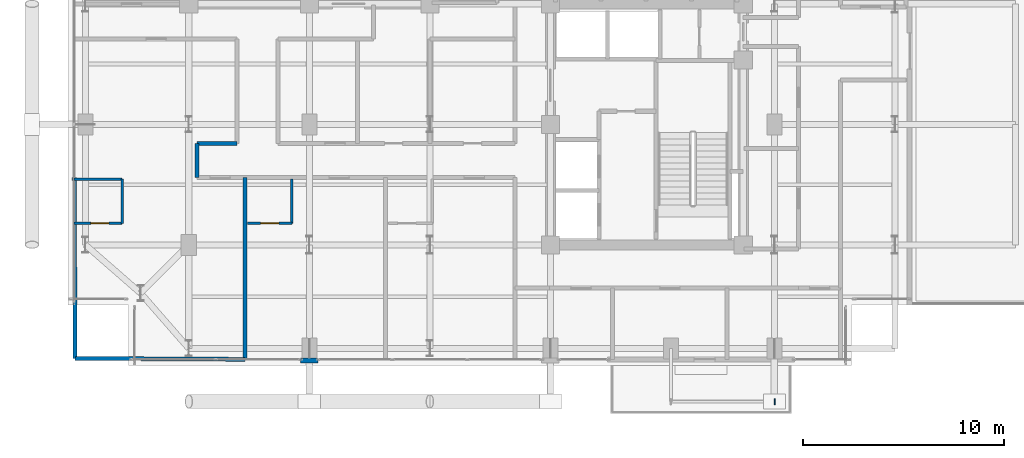
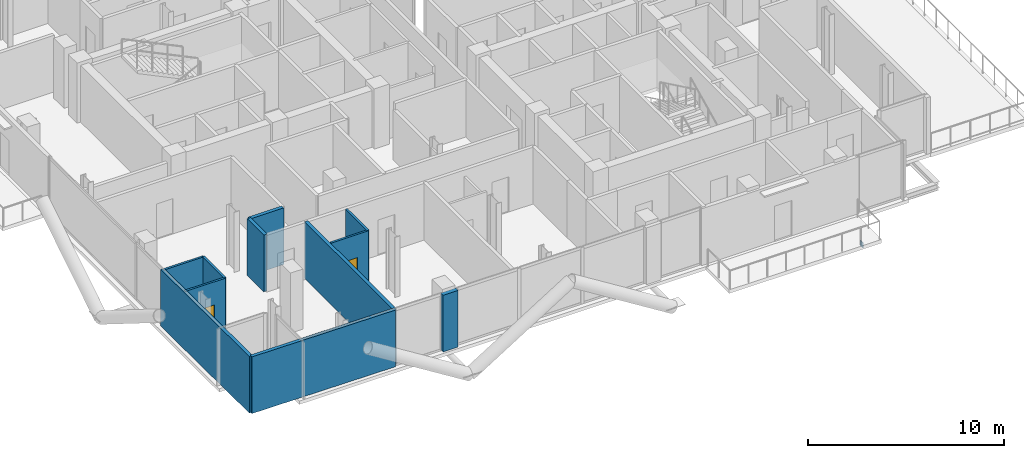
# One storey, part 20 of 28: 11 walls, 2 doors, 1 plate, 2 openings.
"""IFC4 building model written with IfcOpenShell, lengths in metres."""

from ifc_helpers import new_model, si_unit, direction, frame, frame_2d, origin, origin_2d, place, context, subcontext, project, spatial, rectangle, extrude, material, layer, layer_set, type_object, element, fill, save


model = new_model("IFC4")

# Units and contexts
model_context = context("Model", 3, precision=1e-05, world=origin(), true_north=direction((0.0, 1.0)))
body_context = subcontext(model_context, "Body", "Model", "MODEL_VIEW")
ifc_project = project(units=[si_unit("LENGTHUNIT", "METRE"), si_unit("AREAUNIT", "SQUARE_METRE"), si_unit("VOLUMEUNIT", "CUBIC_METRE"), si_unit("PLANEANGLEUNIT", "RADIAN"), si_unit("MASSUNIT", "GRAM", prefix="KILO"), si_unit("THERMODYNAMICTEMPERATUREUNIT", "KELVIN"), si_unit("POWERUNIT", "WATT")], contexts=[model_context])

# Site, building, storey
site_placement = place(None, origin())
site = spatial("IfcSite", under=ifc_project, at=site_placement, CompositionType="ELEMENT")
building_placement = place(site_placement, origin())
building = spatial("IfcBuilding", under=site, at=building_placement, Name="Svarakhadi Broadcast Tower", CompositionType="ELEMENT")
storey_placement = place(building_placement, frame((0.0, 0.0, 169.199951171875)))
storey = spatial("IfcBuildingStorey", under=building, at=storey_placement, Name="L41", CompositionType="ELEMENT", Elevation=169.199951171875)

# Plate
ifc_material_1 = material(Name="Steel S460ML (IS 2062 E450BR)", Category="steel")
ifc_layer_1 = layer(ifc_material_1, 0.028076171875)
ifc_layer_set_1 = layer_set([ifc_layer_1], Name="Steel S460ML (IS 2062 E450BR)")
plate_type = type_object("IfcPlateType", Name="Cap_Plate_CP02", PredefinedType="USERDEFINED", material=ifc_layer_set_1)
plate_placement = place(storey_placement, frame((35.1650390625, -1.800048828125, -0.5048828125), z_axis=(0.0, 0.0, 1.0), x_axis=(1.0, 0.0, 0.0)))
element("IfcPlate", 1, at=plate_placement, inside=storey, type_object=plate_type, Name="L41 Balcony Spandrel End Cap Plate 1F-B", ObjectType="FLANGE_PLATE", PredefinedType="USERDEFINED", context=body_context, shape_type="SweptSolid", body=[
    extrude(rectangle(XDim=0.0400390625, YDim=0.300048828125, at=origin_2d()), origin(), (0.0, 0.0, 1.0), 0.31005859375),
])

# Walls
ifc_material_2 = material(Name="Double-Stud Acoustic Studio Partition STC-62", Category="gypsum")
ifc_layer_2 = layer(ifc_material_2, 0.199951171875)
ifc_layer_set_2 = layer_set([ifc_layer_2], Name="Double-Stud Acoustic Studio Partition STC-62")
wall_type_1 = type_object("IfcWallType", Name="Wall_Acoust_200", PredefinedType="PARTITIONING", material=ifc_layer_set_2)
wall_1_placement = place(storey_placement, frame((6.39990234375, 9.35009765625, 0.0), z_axis=(0.0, 0.0, 1.0), x_axis=(0.0, 1.0, 0.0)))
element("IfcWall", 2, at=wall_1_placement, inside=storey, type_object=wall_type_1, Name="L41 Zone 2/3 Corridor Wall", PredefinedType="PARTITIONING", context=body_context, shape_type="SweptSolid", body=[
    extrude(rectangle(XDim=1.699951171875, YDim=0.199951171875, at=frame_2d((0.85009765625, 0.0))), origin(), (0.0, 0.0, 1.0), 3.5400390625),
])
wall_2_placement = place(storey_placement, frame((6.39990234375, 11.050048828125, 0.0), z_axis=(0.0, 0.0, 1.0), x_axis=(1.0, 0.0, 0.0)))
element("IfcWall", 3, at=wall_2_placement, inside=storey, type_object=wall_type_1, Name="L41 Zone 2/3 Corridor Wall", PredefinedType="PARTITIONING", context=body_context, shape_type="SweptSolid", body=[
    extrude(rectangle(XDim=2.0, YDim=0.199951171875, at=frame_2d((1.0, 0.0))), origin(), (0.0, 0.0, 1.0), 3.5400390625),
])
wall_3_placement = place(storey_placement, frame((0.35009765625, 0.35009765625, 0.0), z_axis=(0.0, 0.0, 1.0), x_axis=(0.99998245966, -0.005922868574, 0.0)))
element("IfcWall", 4, at=wall_3_placement, inside=storey, type_object=wall_type_1, Name="L41 Deluxe Sea-View Guest Room 01 Wall", PredefinedType="PARTITIONING", context=body_context, shape_type="SweptSolid", body=[
    extrude(rectangle(XDim=8.4501953125, YDim=0.199951171875, at=frame_2d((4.22509765625, 0.0))), origin(), (0.0, 0.0, 1.0), 3.5400390625),
])
wall_4_placement = place(storey_placement, frame((0.35009765625, 0.35009765625, 0.0), z_axis=(0.0, 0.0, 1.0), x_axis=(-0.005560894919, 0.999984538104, 0.0)))
element("IfcWall", 5, at=wall_4_placement, inside=storey, type_object=wall_type_1, Name="L41 Deluxe Sea-View Guest Room 01 Wall", PredefinedType="PARTITIONING", context=body_context, shape_type="SweptSolid", body=[
    extrude(rectangle(XDim=9.000244140625, YDim=0.199951171875, at=frame_2d((4.5, 0.0))), origin(), (0.0, 0.0, 1.0), 3.5400390625),
])
wall_5_placement = place(storey_placement, frame((8.800048828125, 0.300048828125, 0.0), z_axis=(0.0, 0.0, 1.0), x_axis=(0.0, 1.0, 0.0)))
element("IfcWall", 6, at=wall_5_placement, inside=storey, type_object=wall_type_1, Name="L41 Deluxe Sea-View Guest Room 01 Wall", PredefinedType="PARTITIONING", context=body_context, shape_type="SweptSolid", body=[
    extrude(rectangle(XDim=9.050048828125, YDim=0.199951171875, at=frame_2d((4.52490234375, 0.0))), origin(), (0.0, 0.0, 1.0), 3.5400390625),
])
ifc_material_3 = material(Name="Concrete C40/50 (IS 456 M50)", Category="concrete")
ifc_layer_3 = layer(ifc_material_3, 0.239990234375)
ifc_layer_set_3 = layer_set([ifc_layer_3], Name="Concrete C40/50 (IS 456 M50)")
wall_type_2 = type_object("IfcWallType", Name="Wall_Ext_240", PredefinedType="SOLIDWALL", material=ifc_layer_set_3)
wall_6_placement = place(storey_placement, frame((12.43994140625, 0.239990234375, 0.0), z_axis=(0.0, 0.0, 1.0), x_axis=(-1.0, 0.0, 0.0)))
element("IfcWall", 7, at=wall_6_placement, inside=storey, type_object=wall_type_2, Name="L41 Perimeter Bronze Spandrel Closure Wall 02", PredefinedType="SOLIDWALL", context=body_context, shape_type="SweptSolid", body=[
    extrude(rectangle(XDim=0.8798828125, YDim=0.239990234375, at=frame_2d((0.43994140625, 0.0))), origin(), (0.0, 0.0, 1.0), 3.5400390625),
])

# Wall, opening, door
ifc_material_4 = material(Name="Fire-Rated Moisture-Resistant Gypsum Board Partition", Category="gypsum")
ifc_layer_4 = layer(ifc_material_4, 0.125)
ifc_layer_set_4 = layer_set([ifc_layer_4], Name="Fire-Rated Moisture-Resistant Gypsum Board Partition")
wall_type_3 = type_object("IfcWallType", Name="Wall_Part_125", PredefinedType="PARTITIONING", material=ifc_layer_set_4)
wall_7_placement = place(storey_placement, frame((0.300048828125, 7.070068359375, 0.0), z_axis=(0.0, 0.0, 1.0), x_axis=(1.0, 0.0, 0.0)))
wall_7 = element("IfcWall", 8, at=wall_7_placement, inside=storey, type_object=wall_type_3, Name="L41 Deluxe Sea-View Guest Room 01 En-Suite Wall", PredefinedType="PARTITIONING", context=body_context, shape_type="SweptSolid", body=[
    extrude(rectangle(XDim=2.3798828125, YDim=0.125, at=frame_2d((1.18994140625, 0.0))), origin(), (0.0, 0.0, 1.0), 3.5400390625),
])
opening_1_placement = place(wall_7_placement, frame((0.830078125, 0.0, 0.0)))
opening_1 = element("IfcOpeningElement", 9, at=opening_1_placement, cuts=wall_7, Name="Opening D-13", PredefinedType="OPENING", context=body_context, shape_type="SweptSolid", body=[
    extrude(rectangle(XDim=0.89990234375, YDim=2.10009765625, at=frame_2d((0.449951171875, 1.050048828125))), frame((0.0, 0.072509765625, 0.0), z_axis=(0.0, -1.0, 0.0), x_axis=(1.0, 0.0, 0.0)), (0.0, 0.0, 1.0), 0.14501953125),
])
ifc_material_5 = material(Name="Solid-Core Teak Veneer Acoustic Timber Leaf", Category="wood")
door_type_1 = type_object("IfcDoorType", Name="Door_Closet_D13", OperationType="SINGLE_SWING_RIGHT", PredefinedType="DOOR", material=ifc_material_5)
door_1_placement = place(opening_1_placement, origin())
door_1 = element("IfcDoor", 10, at=door_1_placement, inside=storey, type_object=door_type_1, Name="L41 Deluxe Sea-View Guest Room 01 En-Suite Door", OperationType="SINGLE_SWING_RIGHT", OverallHeight=2.10009765625, OverallWidth=0.89990234375, PredefinedType="DOOR", context=body_context, shape_type="SweptSolid", body=[
    extrude(rectangle(XDim=0.89990234375, YDim=2.10009765625, at=frame_2d((0.449951171875, 1.050048828125))), frame((0.0, 0.02490234375, 0.0), z_axis=(0.0, -1.0, 0.0), x_axis=(1.0, 0.0, 0.0)), (0.0, 0.0, 1.0), 0.050048828125),
])
fill(opening_1, door_1)

# Walls
wall_8_placement = place(storey_placement, frame((0.300048828125, 9.27001953125, 0.0), z_axis=(0.0, 0.0, 1.0), x_axis=(1.0, 0.0, 0.0)))
element("IfcWall", 11, at=wall_8_placement, inside=storey, type_object=wall_type_3, Name="L41 Deluxe Sea-View Guest Room 01 En-Suite Wall", PredefinedType="PARTITIONING", context=body_context, shape_type="SweptSolid", body=[
    extrude(rectangle(XDim=2.3798828125, YDim=0.125, at=frame_2d((1.18994140625, 0.0))), origin(), (0.0, 0.0, 1.0), 3.5400390625),
])
wall_9_placement = place(storey_placement, frame((2.679931640625, 7.070068359375, 0.0), z_axis=(0.0, 0.0, 1.0), x_axis=(0.0, 1.0, 0.0)))
element("IfcWall", 12, at=wall_9_placement, inside=storey, type_object=wall_type_3, Name="L41 Deluxe Sea-View Guest Room 01 En-Suite Wall", PredefinedType="PARTITIONING", context=body_context, shape_type="SweptSolid", body=[
    extrude(rectangle(XDim=2.199951171875, YDim=0.125, at=frame_2d((1.10009765625, 0.0))), origin(), (0.0, 0.0, 1.0), 3.5400390625),
])

# Wall, opening, door
wall_10_placement = place(storey_placement, frame((8.929931640625, 7.070068359375, 0.0), z_axis=(0.0, 0.0, 1.0), x_axis=(1.0, 0.0, 0.0)))
wall_10 = element("IfcWall", 13, at=wall_10_placement, inside=storey, type_object=wall_type_3, Name="L41 Deluxe Sea-View Guest Room 02 En-Suite Wall", PredefinedType="PARTITIONING", context=body_context, shape_type="SweptSolid", body=[
    extrude(rectangle(XDim=2.199951171875, YDim=0.125, at=frame_2d((1.10009765625, 0.0))), origin(), (0.0, 0.0, 1.0), 3.5400390625),
])
opening_2_placement = place(wall_10_placement, frame((0.64990234375, 0.0, 0.0)))
opening_2 = element("IfcOpeningElement", 14, at=opening_2_placement, cuts=wall_10, Name="Opening D-12", PredefinedType="OPENING", context=body_context, shape_type="SweptSolid", body=[
    extrude(rectangle(XDim=0.89990234375, YDim=2.10009765625, at=frame_2d((0.449951171875, 1.050048828125))), frame((0.0, 0.072509765625, 0.0), z_axis=(0.0, -1.0, 0.0), x_axis=(1.0, 0.0, 0.0)), (0.0, 0.0, 1.0), 0.14501953125),
])
door_type_2 = type_object("IfcDoorType", Name="Door_WC_D01", OperationType="SINGLE_SWING_LEFT", PredefinedType="DOOR", material=ifc_material_5)
door_2_placement = place(opening_2_placement, origin())
door_2 = element("IfcDoor", 15, at=door_2_placement, inside=storey, type_object=door_type_2, Name="L41 Deluxe Sea-View Guest Room 02 En-Suite Door", OperationType="SINGLE_SWING_LEFT", OverallHeight=2.10009765625, OverallWidth=0.89990234375, PredefinedType="DOOR", context=body_context, shape_type="SweptSolid", body=[
    extrude(rectangle(XDim=0.89990234375, YDim=2.10009765625, at=frame_2d((0.449951171875, 1.050048828125))), frame((0.0, 0.02490234375, 0.0), z_axis=(0.0, -1.0, 0.0), x_axis=(1.0, 0.0, 0.0)), (0.0, 0.0, 1.0), 0.050048828125),
])
fill(opening_2, door_2)

# Wall
wall_11_placement = place(storey_placement, frame((11.1298828125, 7.070068359375, 0.0), z_axis=(0.0, 0.0, 1.0), x_axis=(0.0, 1.0, 0.0)))
element("IfcWall", 16, at=wall_11_placement, inside=storey, type_object=wall_type_3, Name="L41 Deluxe Sea-View Guest Room 02 En-Suite Wall", PredefinedType="PARTITIONING", context=body_context, shape_type="SweptSolid", body=[
    extrude(rectangle(XDim=2.199951171875, YDim=0.125, at=frame_2d((1.10009765625, 0.0))), origin(), (0.0, 0.0, 1.0), 3.5400390625),
])

save(model, "model.ifc")
